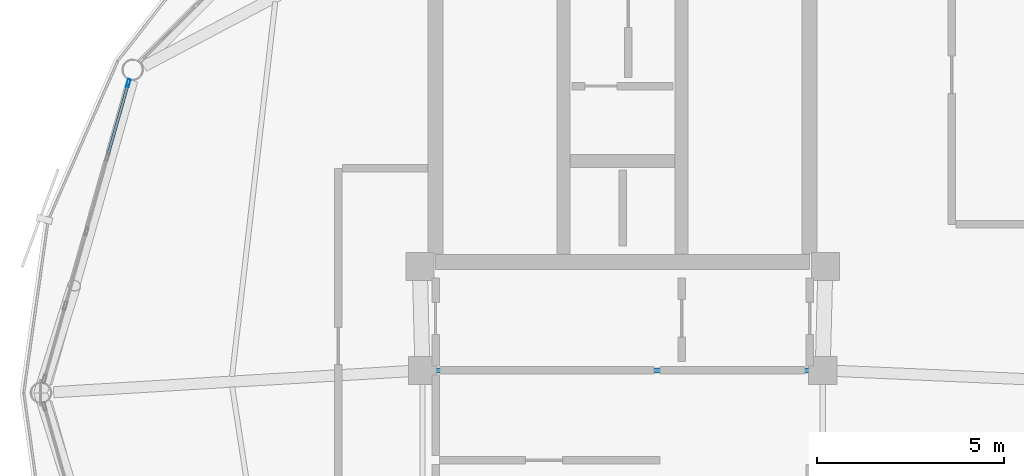
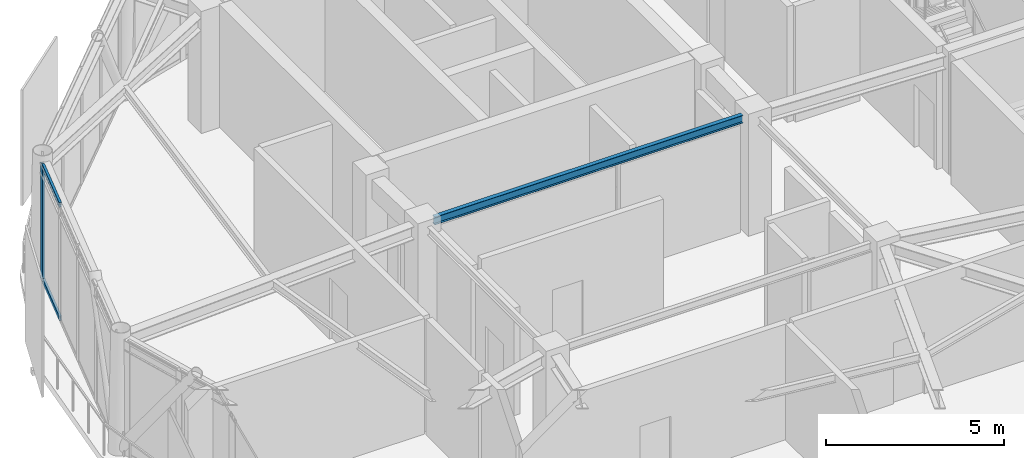
# One storey, part 8 of 20: 3 members, 1 beam, 1 element without a shape of its own.
"""IFC4 building model written with IfcOpenShell, lengths in metres."""

from ifc_helpers import new_model, si_unit, direction, frame, origin, origin_2d, place, context, subcontext, project, spatial, hollow_rectangle, i_section, extrude, material, layer, layer_set, material_profile, profile_set, type_object, element, aggregate, save


model = new_model("IFC4")

# Units and contexts
model_context = context("Model", 3, precision=1e-05, world=origin(), true_north=direction((0.0, 1.0)))
body_context = subcontext(model_context, "Body", "Model", "MODEL_VIEW")
ifc_project = project(units=[si_unit("LENGTHUNIT", "METRE"), si_unit("AREAUNIT", "SQUARE_METRE"), si_unit("VOLUMEUNIT", "CUBIC_METRE"), si_unit("PLANEANGLEUNIT", "RADIAN"), si_unit("MASSUNIT", "GRAM", prefix="KILO")], contexts=[model_context])

# Site, building, storey
site_placement = place(None, origin())
site = spatial("IfcSite", under=ifc_project, at=site_placement, CompositionType="ELEMENT")
building_placement = place(site_placement, origin())
building = spatial("IfcBuilding", under=site, at=building_placement, Name="Varnakorn Sky Granary", CompositionType="ELEMENT")
storey_placement = place(building_placement, frame((0.0, 0.0, 306.60009765625)))
storey = spatial("IfcBuildingStorey", under=building, at=storey_placement, Name="L78", CompositionType="ELEMENT", Elevation=306.60009765625)

# Beam
ifc_material_1 = material(Name="Steel S355JR", Category="steel")
ifc_material_profile_1 = material_profile(ifc_material_1, i_section(OverallWidth=0.135009765625, OverallDepth=0.27001953125, WebThickness=0.006591796875, FlangeThickness=0.01025390625, at=origin_2d()), Name="IPE 270")
ifc_profile_set_1 = profile_set([ifc_material_profile_1], Name="Steel S355JR")
beam_type = type_object("IfcBeamType", Name="BM-SEC-Z5", PredefinedType="BEAM", material=ifc_profile_set_1)
beam_placement = place(storey_placement, frame((-1.9951171875, 0.60009765625, 3.824951171875), z_axis=(1.0, 0.0, 0.0), x_axis=(0.0, 1.0, 0.0)))
element("IfcBeam", 1, at=beam_placement, inside=storey, type_object=beam_type, Name="Core Spine Framing Beam 5 L78", PredefinedType="BEAM", context=body_context, shape_type="SweptSolid", body=[
    extrude(i_section(OverallWidth=0.135009765625, OverallDepth=0.27001953125, WebThickness=0.006591796875, FlangeThickness=0.01025390625, at=origin_2d()), origin(), (0.0, 0.0, 1.0), 9.990234375),
])

# Curtain wall, members
ifc_material_2 = material(Name="Anodised Bronze Aluminium Alloy 6063-T6", Category="aluminium")
ifc_layer = layer(ifc_material_2, 0.22998046875, Name="Anodised Bronze Aluminium Alloy 6063-T6")
ifc_layer_set = layer_set([ifc_layer], Name="Anodised Bronze Aluminium Alloy 6063-T6")
curtain_wall_type = type_object("IfcCurtainWallType", Name="CW-LNT-1", PredefinedType="USERDEFINED", material=ifc_layer_set)
curtain_wall_placement = place(storey_placement, origin())
curtain_wall = element("IfcCurtainWall", 2, at=curtain_wall_placement, inside=storey, type_object=curtain_wall_type, Name="Unitised Curtain Wall CW7 CW-L78-B06", ObjectType="CURTAIN WALL", PredefinedType="USERDEFINED")
ifc_material_profile_2 = material_profile(ifc_material_2, hollow_rectangle(XDim=0.074951171875, YDim=0.219970703125, WallThickness=0.00390625, at=origin_2d()), Name="ALU MULL 75x220")
ifc_profile_set_2 = profile_set([ifc_material_profile_2], Name="Anodised Bronze Aluminium Alloy 6063-T6")
member_type_1 = type_object("IfcMemberType", Name="CW-LNT-1-MULL", PredefinedType="MULLION", material=ifc_profile_set_2)
member_1_placement = place(storey_placement, frame((-10.2109375, 8.27685546875, 0.0), z_axis=(0.0, 0.0, 1.0), x_axis=(-0.962094649549, 0.272715759188, 0.0)))
member_1 = element("IfcMember", 3, at=member_1_placement, type_object=member_type_1, Name="CW7 mullion 5", PredefinedType="MULLION", context=body_context, shape_type="SweptSolid", body=[
    extrude(hollow_rectangle(XDim=0.074951171875, YDim=0.219970703125, WallThickness=0.00390625, at=origin_2d()), origin(), (0.0, 0.0, 1.0), 3.9599609375),
])
ifc_material_profile_3 = material_profile(ifc_material_2, hollow_rectangle(XDim=0.074951171875, YDim=0.159912109375, WallThickness=0.00390625, at=origin_2d()), Name="ALU TRAN 75x160")
ifc_profile_set_3 = profile_set([ifc_material_profile_3], Name="Anodised Bronze Aluminium Alloy 6063-T6")
member_type_2 = type_object("IfcMemberType", Name="CW-LNT-1-TRAN", PredefinedType="USERDEFINED", material=ifc_profile_set_3)
member_2_placement = place(storey_placement, frame((-10.75634765625, 6.352294921875, 0.037353515625), z_axis=(0.272765679567, 0.962080497698, 0.0), x_axis=(-0.962080497698, 0.272765679567, 0.0)))
member_2 = element("IfcMember", 4, at=member_2_placement, type_object=member_type_2, Name="CW7 transom 4.1", ObjectType="TRANSOM", PredefinedType="USERDEFINED", context=body_context, shape_type="SweptSolid", body=[
    extrude(hollow_rectangle(XDim=0.074951171875, YDim=0.159912109375, WallThickness=0.00390625, at=origin_2d()), origin(), (0.0, 0.0, 1.0), 1.962890625),
])
member_3_placement = place(storey_placement, frame((-10.75634765625, 6.352294921875, 3.92236328125), z_axis=(0.272765679567, 0.962080497698, 0.0), x_axis=(-0.962080497698, 0.272765679567, 0.0)))
member_3 = element("IfcMember", 5, at=member_3_placement, type_object=member_type_2, Name="CW7 transom 4.2", ObjectType="TRANSOM", PredefinedType="USERDEFINED", context=body_context, shape_type="SweptSolid", body=[
    extrude(hollow_rectangle(XDim=0.074951171875, YDim=0.159912109375, WallThickness=0.00390625, at=origin_2d()), origin(), (0.0, 0.0, 1.0), 1.962890625),
])
aggregate(curtain_wall, [member_1, member_2, member_3])

save(model, "model.ifc")
